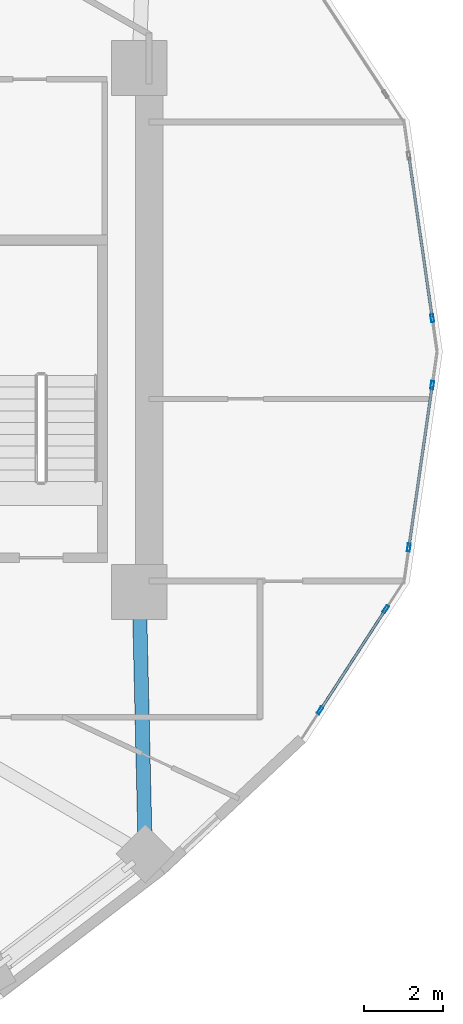
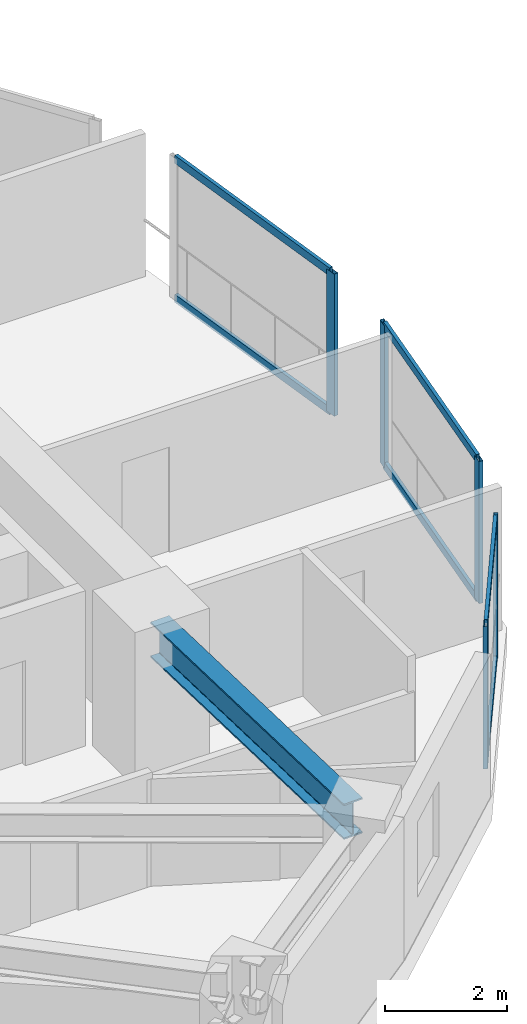
# One storey, part 5 of 18: 11 members, 1 beam, 3 elements without a shape of their own.
"""IFC4 building model written with IfcOpenShell, lengths in metres."""

from ifc_helpers import new_model, si_unit, direction, frame, origin, origin_2d, place, context, subcontext, project, spatial, hollow_rectangle, i_section, extrude, material, layer, layer_set, material_profile, profile_set, type_object, element, aggregate, save


model = new_model("IFC4")

# Units and contexts
model_context = context("Model", 3, precision=1e-05, world=origin(), true_north=direction((0.0, 1.0)))
body_context = subcontext(model_context, "Body", "Model", "MODEL_VIEW")
ifc_project = project(units=[si_unit("LENGTHUNIT", "METRE"), si_unit("AREAUNIT", "SQUARE_METRE"), si_unit("VOLUMEUNIT", "CUBIC_METRE"), si_unit("PLANEANGLEUNIT", "RADIAN"), si_unit("MASSUNIT", "GRAM", prefix="KILO")], contexts=[model_context])

# Site, building, storey
site_placement = place(None, origin())
site = spatial("IfcSite", under=ifc_project, at=site_placement, CompositionType="ELEMENT")
building_placement = place(site_placement, origin())
building = spatial("IfcBuilding", under=site, at=building_placement, Name="Solvane Sanctuary Tower", CompositionType="ELEMENT")
storey_placement = place(building_placement, frame((0.0, 0.0, 94.89990234375)))
storey = spatial("IfcBuildingStorey", under=building, at=storey_placement, Name="L28", CompositionType="ELEMENT", Elevation=94.89990234375)

# Beam
ifc_material_1 = material(Name="Steel ASTM A992 Grade 50", Category="steel")
ifc_material_profile_1 = material_profile(ifc_material_1, i_section(OverallWidth=0.35791015625, OverallDepth=0.7060546875, WebThickness=0.018310546875, FlangeThickness=0.0302734375, FilletRadius=0.01806640625, at=origin_2d()), Name="W27X178")
ifc_profile_set_1 = profile_set([ifc_material_profile_1], Name="Steel ASTM A992 Grade 50")
beam_type = type_object("IfcBeamType", Name="Beam B-SPAND-Z2 W27X178", PredefinedType="SPANDREL", material=ifc_profile_set_1)
beam_placement = place(storey_placement, frame((48.8466796875, 10.537109375, 2.525146484375), z_axis=(-0.023071397754, 0.999733819877, 0.0), x_axis=(-0.999733819877, -0.023071397754, 0.0)))
element("IfcBeam", 1, at=beam_placement, inside=storey, type_object=beam_type, Name="L28 Perimeter Spandrel Beam TC14-CE2", PredefinedType="SPANDREL", context=body_context, shape_type="SweptSolid", body=[
    extrude(i_section(OverallWidth=0.35791015625, OverallDepth=0.7060546875, WebThickness=0.018310546875, FlangeThickness=0.0302734375, FilletRadius=0.01806640625, at=origin_2d()), origin(), (0.0, 0.0, 1.0), 6.084716796875),
])

# Curtain wall, member
ifc_material_2 = material(Name="Anodised Aluminium 6063-T6", Category="aluminium")
ifc_layer = layer(ifc_material_2, 0.2099609375, Name="Anodised Aluminium 6063-T6")
ifc_layer_set = layer_set([ifc_layer], Name="Anodised Aluminium 6063-T6")
curtain_wall_type = type_object("IfcCurtainWallType", Name="Curtain Wall CW-PORTAL", PredefinedType="NOTDEFINED", material=ifc_layer_set)
curtain_wall_1_placement = place(storey_placement, origin())
curtain_wall_1 = element("IfcCurtainWall", 2, at=curtain_wall_1_placement, inside=storey, type_object=curtain_wall_type, Name="L28 CW-PORTAL Facade Run 00", PredefinedType="NOTDEFINED")
ifc_material_profile_2 = material_profile(ifc_material_2, hollow_rectangle(XDim=0.074951171875, YDim=0.199951171875, WallThickness=0.00390625, at=origin_2d()), Name="ALU200X75X4")
ifc_profile_set_2 = profile_set([ifc_material_profile_2], Name="Anodised Aluminium 6063-T6")
member_type_1 = type_object("IfcMemberType", Name="Member M-CW-MUL-1 ALU200X75X4", PredefinedType="MULLION", material=ifc_profile_set_2)
member_1_placement = place(storey_placement, frame((56.1376953125, 23.8486328125, 0.0), z_axis=(0.0, 0.0, 1.0), x_axis=(-0.989782250971, -0.142587151113, 0.0)))
member_1 = element("IfcMember", 3, at=member_1_placement, type_object=member_type_1, Name="CW-PORTAL mullion 1", PredefinedType="MULLION", context=body_context, shape_type="SweptSolid", body=[
    extrude(hollow_rectangle(XDim=0.074951171875, YDim=0.199951171875, WallThickness=0.00390625, at=origin_2d()), origin(), (0.0, 0.0, 1.0), 2.840087890625),
])

# Curtain wall, members
curtain_wall_2_placement = place(storey_placement, origin())
curtain_wall_2 = element("IfcCurtainWall", 4, at=curtain_wall_2_placement, inside=storey, type_object=curtain_wall_type, Name="L28 CW-PORTAL Facade Run 22", PredefinedType="NOTDEFINED")
member_2_placement = place(storey_placement, frame((53.287353515625, 13.892578125, 0.0), z_axis=(0.0, 0.0, 1.0), x_axis=(-0.838840163735, 0.54437779134, 0.0)))
member_2 = element("IfcMember", 5, at=member_2_placement, type_object=member_type_1, Name="CW-PORTAL mullion 1", PredefinedType="MULLION", context=body_context, shape_type="SweptSolid", body=[
    extrude(hollow_rectangle(XDim=0.074951171875, YDim=0.199951171875, WallThickness=0.00390625, at=origin_2d()), origin(), (0.0, 0.0, 1.0), 2.840087890625),
])
member_3_placement = place(storey_placement, frame((54.955078125, 16.462158203125, 0.0), z_axis=(0.0, 0.0, 1.0), x_axis=(-0.838840163735, 0.54437779134, 0.0)))
member_3 = element("IfcMember", 6, at=member_3_placement, type_object=member_type_1, Name="CW-PORTAL mullion 2", PredefinedType="MULLION", context=body_context, shape_type="SweptSolid", body=[
    extrude(hollow_rectangle(XDim=0.074951171875, YDim=0.199951171875, WallThickness=0.00390625, at=origin_2d()), origin(), (0.0, 0.0, 1.0), 2.840087890625),
])

curtain_wall_3_placement = place(storey_placement, origin())
curtain_wall_3 = element("IfcCurtainWall", 7, at=curtain_wall_3_placement, inside=storey, type_object=curtain_wall_type, Name="L28 CW-PORTAL Facade Run 23", PredefinedType="NOTDEFINED")
member_4_placement = place(storey_placement, frame((55.5439453125, 18.030029296875, 0.0), z_axis=(0.0, 0.0, 1.0), x_axis=(-0.989782250971, 0.142587151113, 0.0)))
member_4 = element("IfcMember", 8, at=member_4_placement, type_object=member_type_1, Name="CW-PORTAL mullion 1", PredefinedType="MULLION", context=body_context, shape_type="SweptSolid", body=[
    extrude(hollow_rectangle(XDim=0.074951171875, YDim=0.199951171875, WallThickness=0.00390625, at=origin_2d()), origin(), (0.0, 0.0, 1.0), 2.840087890625),
])
member_5_placement = place(storey_placement, frame((56.1376953125, 22.1513671875, 0.0), z_axis=(0.0, 0.0, 1.0), x_axis=(-0.989782250971, 0.142587151113, 0.0)))
member_5 = element("IfcMember", 9, at=member_5_placement, type_object=member_type_1, Name="CW-PORTAL mullion 2", PredefinedType="MULLION", context=body_context, shape_type="SweptSolid", body=[
    extrude(hollow_rectangle(XDim=0.074951171875, YDim=0.199951171875, WallThickness=0.00390625, at=origin_2d()), origin(), (0.0, 0.0, 1.0), 2.840087890625),
])

# Member
ifc_material_profile_3 = material_profile(ifc_material_2, hollow_rectangle(XDim=0.06494140625, YDim=0.159912109375, WallThickness=0.00341796875, at=origin_2d()), Name="ALU160X65X3.5")
ifc_profile_set_3 = profile_set([ifc_material_profile_3], Name="Anodised Aluminium 6063-T6")
member_type_2 = type_object("IfcMemberType", Name="Member M-CW-TRN-1 ALU160X65X3.5", PredefinedType="USERDEFINED", material=ifc_profile_set_3)
member_6_placement = place(storey_placement, frame((56.13232421875, 23.8857421875, 0.03271484375), z_axis=(-0.142583180387, 0.989782822982, 0.0), x_axis=(-0.989782822982, -0.142583180387, 0.0)))
member_6 = element("IfcMember", 10, at=member_6_placement, type_object=member_type_2, Name="CW-PORTAL transom 1.1", ObjectType="TRANSOM", PredefinedType="USERDEFINED", context=body_context, shape_type="SweptSolid", body=[
    extrude(hollow_rectangle(XDim=0.06494140625, YDim=0.159912109375, WallThickness=0.00341796875, at=origin_2d()), origin(), (0.0, 0.0, 1.0), 4.0888671875),
])

member_7_placement = place(storey_placement, frame((56.13232421875, 23.8857421875, 2.8076171875), z_axis=(-0.142583180387, 0.989782822982, 0.0), x_axis=(-0.989782822982, -0.142583180387, 0.0)))
member_7 = element("IfcMember", 11, at=member_7_placement, type_object=member_type_2, Name="CW-PORTAL transom 1.2", ObjectType="TRANSOM", PredefinedType="USERDEFINED", context=body_context, shape_type="SweptSolid", body=[
    extrude(hollow_rectangle(XDim=0.06494140625, YDim=0.159912109375, WallThickness=0.00341796875, at=origin_2d()), origin(), (0.0, 0.0, 1.0), 4.0888671875),
])

aggregate(curtain_wall_1, [member_1, member_6, member_7])

member_8_placement = place(storey_placement, frame((53.307861328125, 13.923828125, 0.03271484375), z_axis=(0.544344954521, 0.838861472764, 0.0), x_axis=(-0.838861472764, 0.544344954521, 0.0)))
member_8 = element("IfcMember", 12, at=member_8_placement, type_object=member_type_2, Name="CW-PORTAL transom 1.1", ObjectType="TRANSOM", PredefinedType="USERDEFINED", context=body_context, shape_type="SweptSolid", body=[
    extrude(hollow_rectangle(XDim=0.06494140625, YDim=0.159912109375, WallThickness=0.00341796875, at=origin_2d()), origin(), (0.0, 0.0, 1.0), 2.98828125),
])

member_9_placement = place(storey_placement, frame((53.307861328125, 13.923828125, 2.8076171875), z_axis=(0.544344954521, 0.838861472764, 0.0), x_axis=(-0.838861472764, 0.544344954521, 0.0)))
member_9 = element("IfcMember", 13, at=member_9_placement, type_object=member_type_2, Name="CW-PORTAL transom 1.2", ObjectType="TRANSOM", PredefinedType="USERDEFINED", context=body_context, shape_type="SweptSolid", body=[
    extrude(hollow_rectangle(XDim=0.06494140625, YDim=0.159912109375, WallThickness=0.00341796875, at=origin_2d()), origin(), (0.0, 0.0, 1.0), 2.98828125),
])

aggregate(curtain_wall_2, [member_2, member_3, member_8, member_9])

member_10_placement = place(storey_placement, frame((55.54931640625, 18.067138671875, 0.03271484375), z_axis=(0.142583180387, 0.989782822982, 0.0), x_axis=(-0.989782822982, 0.142583180387, 0.0)))
member_10 = element("IfcMember", 14, at=member_10_placement, type_object=member_type_2, Name="CW-PORTAL transom 1.1", ObjectType="TRANSOM", PredefinedType="USERDEFINED", context=body_context, shape_type="SweptSolid", body=[
    extrude(hollow_rectangle(XDim=0.06494140625, YDim=0.159912109375, WallThickness=0.00341796875, at=origin_2d()), origin(), (0.0, 0.0, 1.0), 4.0888671875),
])

member_11_placement = place(storey_placement, frame((55.54931640625, 18.067138671875, 2.8076171875), z_axis=(0.142583180387, 0.989782822982, 0.0), x_axis=(-0.989782822982, 0.142583180387, 0.0)))
member_11 = element("IfcMember", 15, at=member_11_placement, type_object=member_type_2, Name="CW-PORTAL transom 1.2", ObjectType="TRANSOM", PredefinedType="USERDEFINED", context=body_context, shape_type="SweptSolid", body=[
    extrude(hollow_rectangle(XDim=0.06494140625, YDim=0.159912109375, WallThickness=0.00341796875, at=origin_2d()), origin(), (0.0, 0.0, 1.0), 4.0888671875),
])

aggregate(curtain_wall_3, [member_4, member_5, member_10, member_11])

save(model, "model.ifc")
